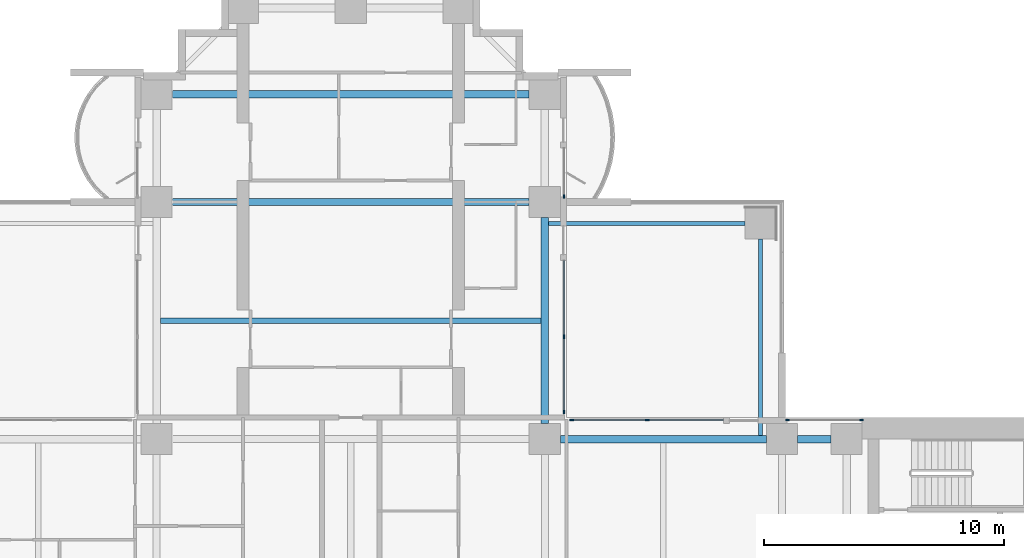
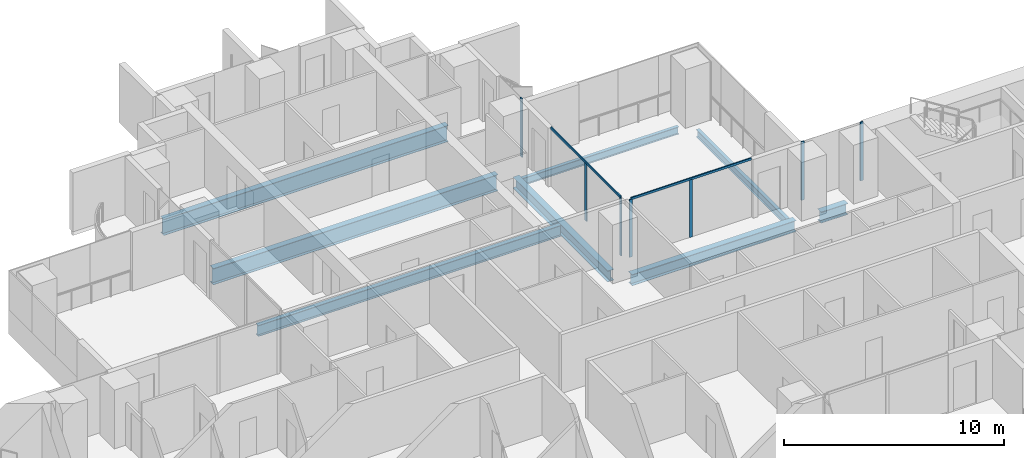
# One storey, part 6 of 21: 9 members, 8 beams, 4 elements without a shape of their own.
"""IFC4 building model written with IfcOpenShell, lengths in metres."""

from ifc_helpers import new_model, si_unit, direction, frame, origin, origin_2d, place, context, subcontext, project, spatial, rectangle, i_section, extrude, material, material_profile, profile_set, type_object, element, aggregate, save


model = new_model("IFC4")

# Units and contexts
model_context = context("Model", 3, precision=1e-05, world=origin(), true_north=direction((0.0, 1.0)))
body_context = subcontext(model_context, "Body", "Model", "MODEL_VIEW")
ifc_project = project(units=[si_unit("LENGTHUNIT", "METRE"), si_unit("AREAUNIT", "SQUARE_METRE"), si_unit("VOLUMEUNIT", "CUBIC_METRE"), si_unit("PLANEANGLEUNIT", "RADIAN"), si_unit("MASSUNIT", "GRAM", prefix="KILO")], contexts=[model_context])

# Site, building, storey
site_placement = place(None, origin())
site = spatial("IfcSite", under=ifc_project, at=site_placement, CompositionType="ELEMENT")
building_placement = place(site_placement, origin())
building = spatial("IfcBuilding", under=site, at=building_placement, Name="Perihelion Cross Residences", CompositionType="ELEMENT")
storey_placement = place(building_placement, frame((0.0, 0.0, 40.0)))
storey = spatial("IfcBuildingStorey", under=building, at=storey_placement, Name="L06", CompositionType="ELEMENT", Elevation=40.0)

# Curtain wall, members
ifc_material_1 = material(Name="Bronze anodised aluminium, tinted glazing", Category="aluminium")
curtain_wall_type = type_object("IfcCurtainWallType", Name="CW1", PredefinedType="NOTDEFINED", material=ifc_material_1)
curtain_wall_1_placement = place(storey_placement, origin())
curtain_wall_1 = element("IfcCurtainWall", 1, at=curtain_wall_1_placement, inside=storey, type_object=curtain_wall_type, Name="Curtain wall CW1 L06 east side north bay 1", PredefinedType="NOTDEFINED")
ifc_material_2 = material(Name="Bronze anodised aluminium", Category="aluminium")
ifc_material_profile_1 = material_profile(ifc_material_2, rectangle(XDim=0.06005859375, YDim=0.159912109375, at=origin_2d()), Name="CW1 mullion")
ifc_profile_set_1 = profile_set([ifc_material_profile_1], Name="Bronze anodised aluminium")
member_type_1 = type_object("IfcMemberType", Name="CW1 mullion", PredefinedType="MULLION", material=ifc_profile_set_1)
member_1_placement = place(storey_placement, frame((21.320068359375, 8.89990234375, 0.0), z_axis=(0.0, 0.0, 1.0), x_axis=(0.0, -1.0, 0.0)))
member_1 = element("IfcMember", 2, at=member_1_placement, type_object=member_type_1, Name="CW1 mullion 1", PredefinedType="MULLION", context=body_context, shape_type="SweptSolid", body=[
    extrude(rectangle(XDim=0.06005859375, YDim=0.159912109375, at=origin_2d()), origin(), (0.0, 0.0, 1.0), 3.25),
])
member_2_placement = place(storey_placement, frame((18.22998046875, 8.89990234375, 0.0), z_axis=(0.0, 0.0, 1.0), x_axis=(0.0, -1.0, 0.0)))
member_2 = element("IfcMember", 3, at=member_2_placement, type_object=member_type_1, Name="CW1 mullion 2", PredefinedType="MULLION", context=body_context, shape_type="SweptSolid", body=[
    extrude(rectangle(XDim=0.06005859375, YDim=0.159912109375, at=origin_2d()), origin(), (0.0, 0.0, 1.0), 3.25),
])
aggregate(curtain_wall_1, [member_1, member_2])

curtain_wall_2_placement = place(storey_placement, origin())
curtain_wall_2 = element("IfcCurtainWall", 4, at=curtain_wall_2_placement, inside=storey, type_object=curtain_wall_type, Name="Curtain wall CW1 L06 east side north bay 2", PredefinedType="NOTDEFINED")
member_3_placement = place(storey_placement, frame((12.375, 8.89990234375, 0.0), z_axis=(0.0, 0.0, 1.0), x_axis=(0.0, -1.0, 0.0)))
member_3 = element("IfcMember", 5, at=member_3_placement, type_object=member_type_1, Name="CW1 mullion 2", PredefinedType="MULLION", context=body_context, shape_type="SweptSolid", body=[
    extrude(rectangle(XDim=0.06005859375, YDim=0.159912109375, at=origin_2d()), origin(), (0.0, 0.0, 1.0), 3.18994140625),
])
member_4_placement = place(storey_placement, frame((9.22998046875, 8.89990234375, 0.0), z_axis=(0.0, 0.0, 1.0), x_axis=(0.0, -1.0, 0.0)))
member_4 = element("IfcMember", 6, at=member_4_placement, type_object=member_type_1, Name="CW1 mullion 3", PredefinedType="MULLION", context=body_context, shape_type="SweptSolid", body=[
    extrude(rectangle(XDim=0.06005859375, YDim=0.159912109375, at=origin_2d()), origin(), (0.0, 0.0, 1.0), 3.18994140625),
])

curtain_wall_3_placement = place(storey_placement, origin())
curtain_wall_3 = element("IfcCurtainWall", 7, at=curtain_wall_3_placement, inside=storey, type_object=curtain_wall_type, Name="Curtain wall CW1 L06 north side east bay 1", PredefinedType="NOTDEFINED")
member_5_placement = place(storey_placement, frame((8.89990234375, 9.22998046875, 0.0), z_axis=(0.0, 0.0, 1.0), x_axis=(-1.0, 0.0, 0.0)))
member_5 = element("IfcMember", 8, at=member_5_placement, type_object=member_type_1, Name="CW1 mullion 1", PredefinedType="MULLION", context=body_context, shape_type="SweptSolid", body=[
    extrude(rectangle(XDim=0.06005859375, YDim=0.159912109375, at=origin_2d()), origin(), (0.0, 0.0, 1.0), 3.18994140625),
])
member_6_placement = place(storey_placement, frame((8.89990234375, 12.375, 0.0), z_axis=(0.0, 0.0, 1.0), x_axis=(-1.0, 0.0, 0.0)))
member_6 = element("IfcMember", 9, at=member_6_placement, type_object=member_type_1, Name="CW1 mullion 2", PredefinedType="MULLION", context=body_context, shape_type="SweptSolid", body=[
    extrude(rectangle(XDim=0.06005859375, YDim=0.159912109375, at=origin_2d()), origin(), (0.0, 0.0, 1.0), 3.18994140625),
])

# Curtain wall, member
curtain_wall_4_placement = place(storey_placement, origin())
curtain_wall_4 = element("IfcCurtainWall", 10, at=curtain_wall_4_placement, inside=storey, type_object=curtain_wall_type, Name="Curtain wall CW1 L06 north side east bay 2", PredefinedType="NOTDEFINED")
member_7_placement = place(storey_placement, frame((8.89990234375, 18.22998046875, 0.0), z_axis=(0.0, 0.0, 1.0), x_axis=(-1.0, 0.0, 0.0)))
member_7 = element("IfcMember", 11, at=member_7_placement, type_object=member_type_1, Name="CW1 mullion 1", PredefinedType="MULLION", context=body_context, shape_type="SweptSolid", body=[
    extrude(rectangle(XDim=0.06005859375, YDim=0.159912109375, at=origin_2d()), origin(), (0.0, 0.0, 1.0), 3.25),
])
aggregate(curtain_wall_4, [member_7])

# Member
ifc_material_3 = material(Name="Bronze anodised aluminium", Category="aluminium")
ifc_material_profile_2 = material_profile(ifc_material_3, rectangle(XDim=0.06005859375, YDim=0.1201171875, at=origin_2d()), Name="CW1 transom")
ifc_profile_set_2 = profile_set([ifc_material_profile_2], Name="Bronze anodised aluminium")
member_type_2 = type_object("IfcMemberType", Name="CW1 transom", PredefinedType="USERDEFINED", material=ifc_profile_set_2)
member_8_placement = place(storey_placement, frame((15.550048828125, 8.89990234375, 3.219970703125), z_axis=(-1.0, 0.0, 0.0), x_axis=(0.0, -1.0, 0.0)))
member_8 = element("IfcMember", 12, at=member_8_placement, type_object=member_type_2, Name="CW1 head transom", ObjectType="TRANSOM", PredefinedType="USERDEFINED", context=body_context, shape_type="SweptSolid", body=[
    extrude(rectangle(XDim=0.06005859375, YDim=0.1201171875, at=origin_2d()), origin(), (0.0, 0.0, 1.0), 6.320068359375),
])

aggregate(curtain_wall_2, [member_3, member_4, member_8])

member_9_placement = place(storey_placement, frame((8.89990234375, 9.22998046875, 3.219970703125), z_axis=(0.0, 1.0, 0.0), x_axis=(-1.0, 0.0, 0.0)))
member_9 = element("IfcMember", 13, at=member_9_placement, type_object=member_type_2, Name="CW1 head transom", ObjectType="TRANSOM", PredefinedType="USERDEFINED", context=body_context, shape_type="SweptSolid", body=[
    extrude(rectangle(XDim=0.06005859375, YDim=0.1201171875, at=origin_2d()), origin(), (0.0, 0.0, 1.0), 6.320068359375),
])

aggregate(curtain_wall_3, [member_5, member_6, member_9])

# Beams
ifc_material_4 = material(Name="Steel S355", Category="steel")
ifc_material_profile_3 = material_profile(ifc_material_4, i_section(OverallWidth=0.177978515625, OverallDepth=0.406005859375, WebThickness=0.0078125, FlangeThickness=0.0126953125, at=origin_2d()), Name="W410x60")
ifc_profile_set_3 = profile_set([ifc_material_profile_3], Name="Steel S355")
beam_type_1 = type_object("IfcBeamType", Name="Core edge beam W410x60", PredefinedType="BEAM", material=ifc_profile_set_3)
for number, where, z_axis, x_axis, name in (
    (14, (17.10009765625, 8.262451171875, -0.452880859375), (0.0, 1.0, 0.0), (-1.0, 0.0, 0.0), "Core edge beam TB2 L06 corner no. 7"),
    (15, (8.262451171875, 17.10009765625, -0.452880859375), (1.0, 0.0, 0.0), (0.0, 1.0, 0.0), "Core edge beam TB2 L06 corner no. 8"),
):
    element("IfcBeam", number, at=place(storey_placement, frame(where, z_axis=z_axis, x_axis=x_axis)), inside=storey, type_object=beam_type_1, Name=name, PredefinedType="BEAM", context=body_context, shape_type="SweptSolid", body=[
        extrude(i_section(OverallWidth=0.177978515625, OverallDepth=0.406005859375, WebThickness=0.0078125, FlangeThickness=0.0126953125, at=origin_2d()), origin(), (0.0, 0.0, 1.0), 8.1875),
    ])
ifc_material_5 = material(Name="Steel S355", Category="steel")
ifc_material_profile_4 = material_profile(ifc_material_5, i_section(OverallWidth=0.324951171875, OverallDepth=0.616943359375, WebThickness=0.013916015625, FlangeThickness=0.021484375, at=origin_2d()), Name="W610x174")
ifc_profile_set_4 = profile_set([ifc_material_profile_4], Name="Steel S355")
beam_type_2 = type_object("IfcBeamType", Name="Edge beam W610x174", PredefinedType="SPANDREL", material=ifc_profile_set_4)
beam_1_placement = place(storey_placement, frame((20.050048828125, 8.10009765625, -0.55859375), z_axis=(-1.0, 0.0, 0.0), x_axis=(0.0, -1.0, 0.0)))
element("IfcBeam", 16, at=beam_1_placement, inside=storey, type_object=beam_type_2, Name="Edge beam SB2 L06 no. 14", PredefinedType="SPANDREL", context=body_context, shape_type="SweptSolid", body=[
    extrude(i_section(OverallWidth=0.324951171875, OverallDepth=0.616943359375, WebThickness=0.013916015625, FlangeThickness=0.021484375, at=origin_2d()), origin(), (0.0, 0.0, 1.0), 1.400146484375),
])
for number, where, z_axis, x_axis, name in (
    (17, (17.35009765625, 8.10009765625, -0.55859375), (-1.0, 0.0, 0.0), (0.0, -1.0, 0.0), "Edge beam SB2 L06 no. 13"),
    (18, (8.10009765625, 8.75, -0.55859375), (0.0, 1.0, 0.0), (-1.0, 0.0, 0.0), "Edge beam SB2 L06 no. 20"),
):
    element("IfcBeam", number, at=place(storey_placement, frame(where, z_axis=z_axis, x_axis=x_axis)), inside=storey, type_object=beam_type_2, Name=name, PredefinedType="SPANDREL", context=body_context, shape_type="SweptSolid", body=[
        extrude(i_section(OverallWidth=0.324951171875, OverallDepth=0.616943359375, WebThickness=0.013916015625, FlangeThickness=0.021484375, at=origin_2d()), origin(), (0.0, 0.0, 1.0), 8.60009765625),
    ])
ifc_material_6 = material(Name="Steel S355", Category="steel")
ifc_material_profile_5 = material_profile(ifc_material_6, i_section(OverallWidth=0.304931640625, OverallDepth=0.904052734375, WebThickness=0.01513671875, FlangeThickness=0.02001953125, at=origin_2d()), Name="W920x201")
ifc_profile_set_5 = profile_set([ifc_material_profile_5], Name="Steel S355")
beam_type_3 = type_object("IfcBeamType", Name="Floor girder W920x201", PredefinedType="BEAM", material=ifc_profile_set_5)
for number, where, z_axis, x_axis, name in (
    (19, (-7.449951171875, 18.0, -0.701904296875), (1.0, 0.0, 0.0), (0.0, 1.0, 0.0), "Girder G2 L06 no. 5"),
    (20, (-7.449951171875, 22.5, -0.701904296875), (1.0, 0.0, 0.0), (0.0, 1.0, 0.0), "Girder G2 L06 no. 6"),
):
    element("IfcBeam", number, at=place(storey_placement, frame(where, z_axis=z_axis, x_axis=x_axis)), inside=storey, type_object=beam_type_3, Name=name, PredefinedType="BEAM", context=body_context, shape_type="SweptSolid", body=[
        extrude(i_section(OverallWidth=0.304931640625, OverallDepth=0.904052734375, WebThickness=0.01513671875, FlangeThickness=0.02001953125, at=origin_2d()), origin(), (0.0, 0.0, 1.0), 14.89990234375),
    ])
ifc_material_7 = material(Name="Steel S355", Category="steel")
ifc_material_profile_6 = material_profile(ifc_material_7, i_section(OverallWidth=0.22900390625, OverallDepth=0.612060546875, WebThickness=0.011962890625, FlangeThickness=0.01953125, at=origin_2d()), Name="W610x125")
ifc_profile_set_6 = profile_set([ifc_material_profile_6], Name="Steel S355")
beam_type_4 = type_object("IfcBeamType", Name="Floor joist W610x125", PredefinedType="JOIST", material=ifc_profile_set_6)
beam_2_placement = place(storey_placement, frame((-7.9375, 13.050048828125, -0.555908203125), z_axis=(1.0, 0.0, 0.0), x_axis=(0.0, 1.0, 0.0)))
element("IfcBeam", 21, at=beam_2_placement, inside=storey, type_object=beam_type_4, Name="Joist J3 L06 no. 4", PredefinedType="JOIST", context=body_context, shape_type="SweptSolid", body=[
    extrude(i_section(OverallWidth=0.22900390625, OverallDepth=0.612060546875, WebThickness=0.011962890625, FlangeThickness=0.01953125, at=origin_2d()), origin(), (0.0, 0.0, 1.0), 15.875),
])

save(model, "model.ifc")
